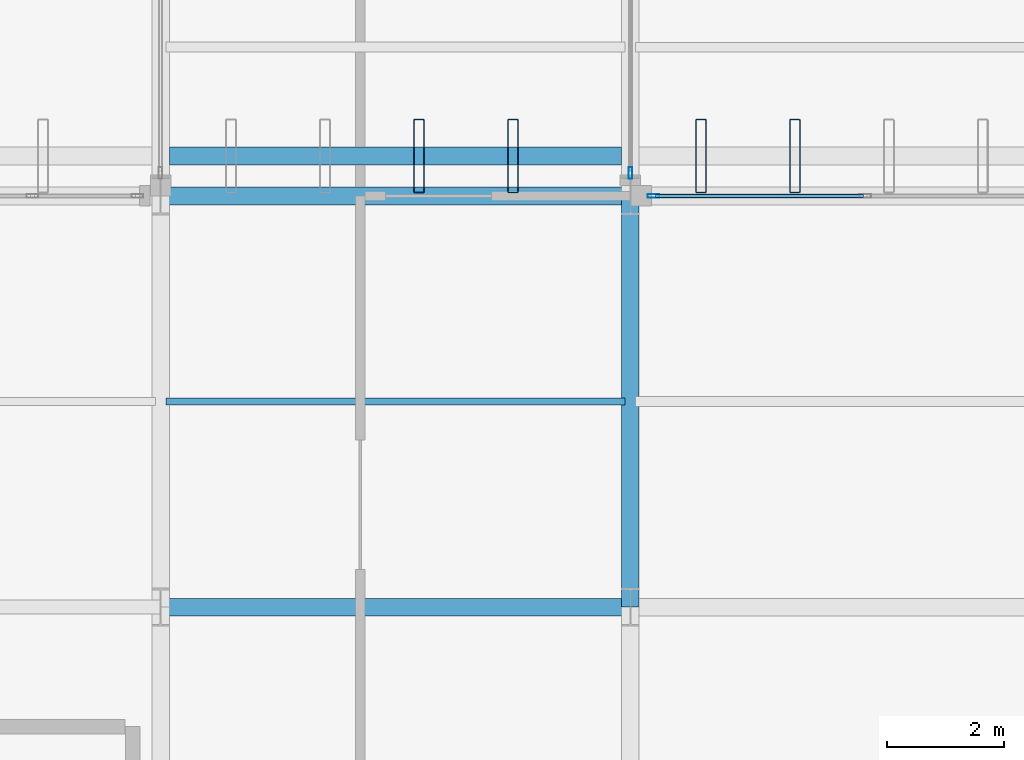
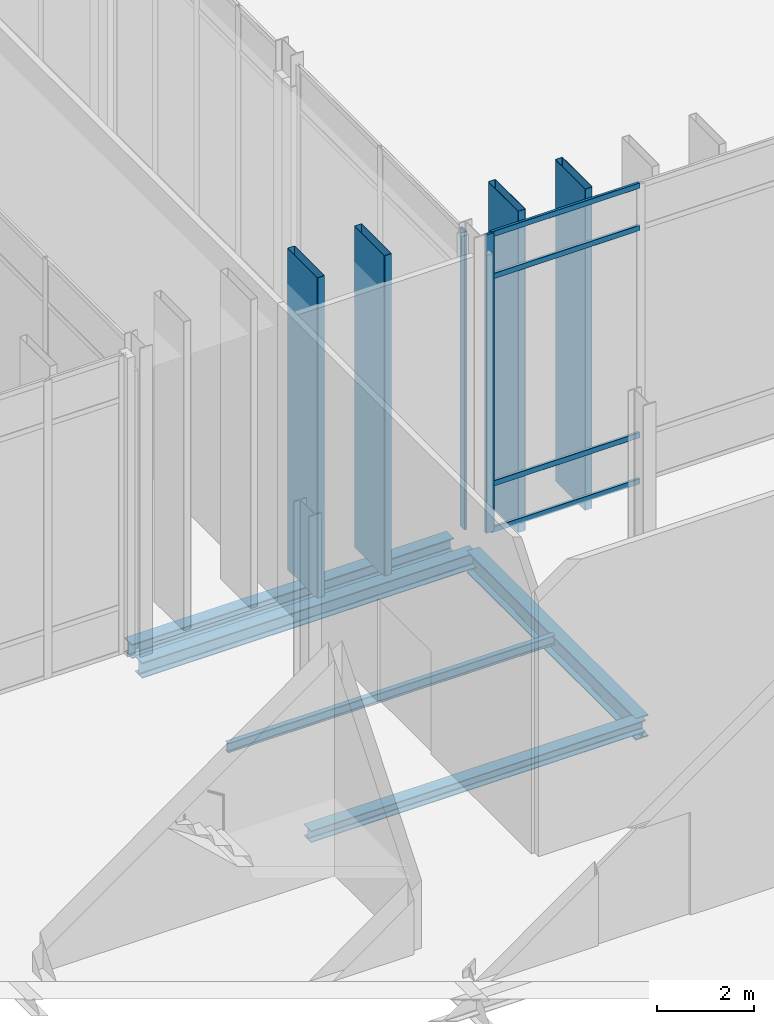
# One storey, part 64 of 176: 10 members, 5 beams, 2 elements without a shape of their own.
"""IFC4 building model written with IfcOpenShell, lengths in metres."""

from ifc_helpers import new_model, si_unit, direction, frame, origin, origin_2d, place, context, subcontext, project, spatial, hollow_rectangle, i_section, extrude, material, layer, layer_set, material_profile, profile_set, type_object, element, aggregate, save


model = new_model("IFC4")

# Units and contexts
model_context = context("Model", 3, precision=1e-05, world=origin(), true_north=direction((0.0, 1.0)))
body_context = subcontext(model_context, "Body", "Model", "MODEL_VIEW")
ifc_project = project(units=[si_unit("LENGTHUNIT", "METRE"), si_unit("AREAUNIT", "SQUARE_METRE"), si_unit("VOLUMEUNIT", "CUBIC_METRE"), si_unit("PLANEANGLEUNIT", "RADIAN"), si_unit("MASSUNIT", "GRAM", prefix="KILO")], contexts=[model_context])

# Site, building, storey
site_placement = place(None, origin())
site = spatial("IfcSite", under=ifc_project, at=site_placement, CompositionType="ELEMENT")
building_placement = place(site_placement, origin())
building = spatial("IfcBuilding", under=site, at=building_placement, Name="Vekula Escarpment Museum", CompositionType="ELEMENT")
storey_placement = place(building_placement, origin())
storey = spatial("IfcBuildingStorey", under=building, at=storey_placement, Name="L01", CompositionType="ELEMENT", Elevation=0.0)

# Beams
ifc_material_1 = material(Name="Steel S355", Category="steel")
ifc_material_profile_1 = material_profile(ifc_material_1, i_section(OverallWidth=0.300048828125, OverallDepth=0.300048828125, WebThickness=0.010986328125, FlangeThickness=0.01904296875, FilletRadius=0.027099609375, at=origin_2d()), Name="HEB 300")
ifc_profile_set_1 = profile_set([ifc_material_profile_1], Name="Steel S355")
beam_type_1 = type_object("IfcBeamType", Name="BM-GIRD-HEB300", PredefinedType="BEAM", material=ifc_profile_set_1)
beam_1_placement = place(storey_placement, frame((94.0, 83.39990234375, -0.449951171875), z_axis=(1.0, 0.0, 0.0), x_axis=(0.0, 1.0, 0.0)))
element("IfcBeam", 1, at=beam_1_placement, inside=storey, type_object=beam_type_1, Name="Beam X L01 0241", PredefinedType="BEAM", context=body_context, shape_type="SweptSolid", body=[
    extrude(i_section(OverallWidth=0.300048828125, OverallDepth=0.300048828125, WebThickness=0.010986328125, FlangeThickness=0.01904296875, FilletRadius=0.027099609375, at=origin_2d()), origin(), (0.0, 0.0, 1.0), 8.0),
])
ifc_material_2 = material(Name="Steel S355", Category="steel")
ifc_material_profile_2 = material_profile(ifc_material_2, i_section(OverallWidth=0.300048828125, OverallDepth=0.360107421875, WebThickness=0.012451171875, FlangeThickness=0.0224609375, FilletRadius=0.027099609375, at=origin_2d()), Name="HEB 360")
ifc_profile_set_2 = profile_set([ifc_material_profile_2], Name="Steel S355")
beam_type_2 = type_object("IfcBeamType", Name="BM-GIRD-HEB360", PredefinedType="BEAM", material=ifc_profile_set_2)
beam_2_placement = place(storey_placement, frame((94.14990234375, 91.080078125, -0.47998046875), z_axis=(1.0, 0.0, 0.0), x_axis=(0.0, 1.0, 0.0)))
element("IfcBeam", 2, at=beam_2_placement, inside=storey, type_object=beam_type_2, Name="Solar Fin Sill Girder 013", PredefinedType="BEAM", context=body_context, shape_type="SweptSolid", body=[
    extrude(i_section(OverallWidth=0.300048828125, OverallDepth=0.360107421875, WebThickness=0.012451171875, FlangeThickness=0.0224609375, FilletRadius=0.027099609375, at=origin_2d()), origin(), (0.0, 0.0, 1.0), 7.7001953125),
])
ifc_material_3 = material(Name="Steel S355", Category="steel")
ifc_material_profile_3 = material_profile(ifc_material_3, i_section(OverallWidth=0.300048828125, OverallDepth=0.550048828125, WebThickness=0.014892578125, FlangeThickness=0.029052734375, FilletRadius=0.027099609375, at=origin_2d()), Name="HEB 550")
ifc_profile_set_3 = profile_set([ifc_material_profile_3], Name="Steel S355")
beam_type_3 = type_object("IfcBeamType", Name="BM-GIRD-HEB550", PredefinedType="BEAM", material=ifc_profile_set_3)
beam_3_placement = place(storey_placement, frame((102.0, 83.39990234375, -0.574951171875), z_axis=(0.0, 1.0, 0.0), x_axis=(-1.0, 0.0, 0.0)))
element("IfcBeam", 3, at=beam_3_placement, inside=storey, type_object=beam_type_3, Name="Beam Y L01 0605", PredefinedType="BEAM", context=body_context, shape_type="SweptSolid", body=[
    extrude(i_section(OverallWidth=0.300048828125, OverallDepth=0.550048828125, WebThickness=0.014892578125, FlangeThickness=0.029052734375, FilletRadius=0.027099609375, at=origin_2d()), origin(), (0.0, 0.0, 1.0), 7.0),
])
ifc_material_4 = material(Name="Steel S355", Category="steel")
ifc_material_profile_4 = material_profile(ifc_material_4, i_section(OverallWidth=0.1201171875, OverallDepth=0.239990234375, WebThickness=0.006103515625, FlangeThickness=0.009765625, FilletRadius=0.014892578125, at=origin_2d()), Name="IPE 240")
ifc_profile_set_4 = profile_set([ifc_material_profile_4], Name="Steel S355")
beam_type_4 = type_object("IfcBeamType", Name="BM-JST-IPE240", PredefinedType="JOIST", material=ifc_profile_set_4)
beam_4_placement = place(storey_placement, frame((94.090087890625, 86.89990234375, -0.419921875), z_axis=(1.0, 0.0, 0.0), x_axis=(0.0, 1.0, 0.0)))
element("IfcBeam", 4, at=beam_4_placement, inside=storey, type_object=beam_type_4, Name="Secondary Joist L01 0307", PredefinedType="JOIST", context=body_context, shape_type="SweptSolid", body=[
    extrude(i_section(OverallWidth=0.1201171875, OverallDepth=0.239990234375, WebThickness=0.006103515625, FlangeThickness=0.009765625, FilletRadius=0.014892578125, at=origin_2d()), origin(), (0.0, 0.0, 1.0), 7.81982421875),
])
ifc_material_5 = material(Name="Steel S355", Category="steel")
ifc_material_profile_5 = material_profile(ifc_material_5, i_section(OverallWidth=0.300048828125, OverallDepth=0.389892578125, WebThickness=0.010986328125, FlangeThickness=0.01904296875, FilletRadius=0.027099609375, at=origin_2d()), Name="HEA 400")
ifc_profile_set_5 = profile_set([ifc_material_profile_5], Name="Steel S355")
beam_type_5 = type_object("IfcBeamType", Name="BM-SPAN-HEA400", PredefinedType="SPANDREL", material=ifc_profile_set_5)
beam_5_placement = place(storey_placement, frame((94.0, 90.39990234375, -0.4951171875), z_axis=(1.0, 0.0, 0.0), x_axis=(0.0, 1.0, 0.0)))
element("IfcBeam", 5, at=beam_5_placement, inside=storey, type_object=beam_type_5, Name="Beam X L01 0260", PredefinedType="SPANDREL", context=body_context, shape_type="SweptSolid", body=[
    extrude(i_section(OverallWidth=0.300048828125, OverallDepth=0.389892578125, WebThickness=0.010986328125, FlangeThickness=0.01904296875, FilletRadius=0.027099609375, at=origin_2d()), origin(), (0.0, 0.0, 1.0), 8.0),
])

# Curtain wall, member
ifc_material_6 = material(Name="Aluminium thermally broken framing", Category="aluminium")
ifc_layer_1 = layer(ifc_material_6, 0.179931640625)
ifc_layer_set_1 = layer_set([ifc_layer_1], Name="Aluminium thermally broken framing")
curtain_wall_type_1 = type_object("IfcCurtainWallType", Name="CW-SYS-07", PredefinedType="NOTDEFINED", material=ifc_layer_set_1)
curtain_wall_1_placement = place(storey_placement, origin())
curtain_wall_1 = element("IfcCurtainWall", 6, at=curtain_wall_1_placement, inside=storey, type_object=curtain_wall_type_1, Name="Curtain Wall CW-L01-027", PredefinedType="NOTDEFINED")
ifc_material_7 = material(Name="Aluminium anodized mullion", Category="aluminium")
ifc_material_profile_6 = material_profile(ifc_material_7, hollow_rectangle(XDim=0.06494140625, YDim=0.199951171875, WallThickness=0.00390625, InnerFilletRadius=0.00390625, OuterFilletRadius=0.008056640625, at=origin_2d()), Name="ALU 200x65x4")
ifc_profile_set_6 = profile_set([ifc_material_profile_6], Name="Aluminium anodized mullion")
member_type_1 = type_object("IfcMemberType", Name="CW-MUL-200", PredefinedType="MULLION", material=ifc_profile_set_6)
member_1_placement = place(storey_placement, frame((102.392578125, 90.39990234375, 0.0), z_axis=(0.0, 0.0, 1.0), x_axis=(0.0, -1.0, 0.0)))
member_1 = element("IfcMember", 7, at=member_1_placement, type_object=member_type_1, Name="CW-07 mullion 3", PredefinedType="MULLION", context=body_context, shape_type="SweptSolid", body=[
    extrude(hollow_rectangle(XDim=0.06494140625, YDim=0.199951171875, WallThickness=0.00390625, InnerFilletRadius=0.00390625, OuterFilletRadius=0.008056640625, at=origin_2d()), origin(), (0.0, 0.0, 1.0), 7.5400390625),
])

ifc_material_8 = material(Name="Aluminium thermally broken framing", Category="aluminium")
ifc_layer_2 = layer(ifc_material_8, 0.179931640625)
ifc_layer_set_2 = layer_set([ifc_layer_2], Name="Aluminium thermally broken framing")
curtain_wall_type_2 = type_object("IfcCurtainWallType", Name="CW-SYS-08", PredefinedType="NOTDEFINED", material=ifc_layer_set_2)
curtain_wall_2_placement = place(storey_placement, origin())
curtain_wall_2 = element("IfcCurtainWall", 8, at=curtain_wall_2_placement, inside=storey, type_object=curtain_wall_type_2, Name="Curtain Wall CW-L01-028", PredefinedType="NOTDEFINED")
member_2_placement = place(storey_placement, frame((102.0, 90.79248046875, 0.0), z_axis=(0.0, 0.0, 1.0), x_axis=(-1.0, 0.0, 0.0)))
member_2 = element("IfcMember", 9, at=member_2_placement, type_object=member_type_1, Name="CW-08 mullion 1", PredefinedType="MULLION", context=body_context, shape_type="SweptSolid", body=[
    extrude(hollow_rectangle(XDim=0.06494140625, YDim=0.199951171875, WallThickness=0.00390625, InnerFilletRadius=0.00390625, OuterFilletRadius=0.008056640625, at=origin_2d()), origin(), (0.0, 0.0, 1.0), 7.5400390625),
])
aggregate(curtain_wall_2, [member_2])

# Member
ifc_material_9 = material(Name="Aluminium anodized transom", Category="aluminium")
ifc_material_profile_7 = material_profile(ifc_material_9, hollow_rectangle(XDim=0.06494140625, YDim=0.139892578125, WallThickness=0.00390625, InnerFilletRadius=0.00390625, OuterFilletRadius=0.008056640625, at=origin_2d()), Name="ALU 140x65x4")
ifc_profile_set_7 = profile_set([ifc_material_profile_7], Name="Aluminium anodized transom")
member_type_2 = type_object("IfcMemberType", Name="CW-TRN-140", PredefinedType="USERDEFINED", material=ifc_profile_set_7)
member_3_placement = place(storey_placement, frame((105.967529296875, 90.39990234375, 0.032470703125), z_axis=(-1.0, 0.0, 0.0), x_axis=(0.0, -1.0, 0.0)))
member_3 = element("IfcMember", 10, at=member_3_placement, type_object=member_type_2, Name="CW-07 transom 2.1", ObjectType="TRANSOM", PredefinedType="USERDEFINED", context=body_context, shape_type="SweptSolid", body=[
    extrude(hollow_rectangle(XDim=0.06494140625, YDim=0.139892578125, WallThickness=0.00390625, InnerFilletRadius=0.00390625, OuterFilletRadius=0.008056640625, at=origin_2d()), origin(), (0.0, 0.0, 1.0), 3.54248046875),
])

member_4_placement = place(storey_placement, frame((105.967529296875, 90.39990234375, 1.199951171875), z_axis=(-1.0, 0.0, 0.0), x_axis=(0.0, -1.0, 0.0)))
member_4 = element("IfcMember", 11, at=member_4_placement, type_object=member_type_2, Name="CW-07 transom 2.2", ObjectType="TRANSOM", PredefinedType="USERDEFINED", context=body_context, shape_type="SweptSolid", body=[
    extrude(hollow_rectangle(XDim=0.06494140625, YDim=0.139892578125, WallThickness=0.00390625, InnerFilletRadius=0.00390625, OuterFilletRadius=0.008056640625, at=origin_2d()), origin(), (0.0, 0.0, 1.0), 3.54248046875),
])

member_5_placement = place(storey_placement, frame((105.967529296875, 90.39990234375, 6.43994140625), z_axis=(-1.0, 0.0, 0.0), x_axis=(0.0, -1.0, 0.0)))
member_5 = element("IfcMember", 12, at=member_5_placement, type_object=member_type_2, Name="CW-07 transom 2.3", ObjectType="TRANSOM", PredefinedType="USERDEFINED", context=body_context, shape_type="SweptSolid", body=[
    extrude(hollow_rectangle(XDim=0.06494140625, YDim=0.139892578125, WallThickness=0.00390625, InnerFilletRadius=0.00390625, OuterFilletRadius=0.008056640625, at=origin_2d()), origin(), (0.0, 0.0, 1.0), 3.54248046875),
])

member_6_placement = place(storey_placement, frame((105.967529296875, 90.39990234375, 7.507568359375), z_axis=(-1.0, 0.0, 0.0), x_axis=(0.0, -1.0, 0.0)))
member_6 = element("IfcMember", 13, at=member_6_placement, type_object=member_type_2, Name="CW-07 transom 2.4", ObjectType="TRANSOM", PredefinedType="USERDEFINED", context=body_context, shape_type="SweptSolid", body=[
    extrude(hollow_rectangle(XDim=0.06494140625, YDim=0.139892578125, WallThickness=0.00390625, InnerFilletRadius=0.00390625, OuterFilletRadius=0.008056640625, at=origin_2d()), origin(), (0.0, 0.0, 1.0), 3.54248046875),
])

aggregate(curtain_wall_1, [member_1, member_3, member_4, member_5, member_6])

# Members
ifc_material_10 = material(Name="Steel S355 weathered bronze solar fin", Category="steel")
ifc_material_profile_8 = material_profile(ifc_material_10, hollow_rectangle(XDim=0.179931640625, YDim=1.25, WallThickness=0.010009765625, InnerFilletRadius=0.010009765625, OuterFilletRadius=0.02001953125, at=origin_2d()), Name="RHS 1250x180x10")
ifc_profile_set_8 = profile_set([ifc_material_profile_8], Name="Steel S355 weathered bronze solar fin")
member_type_3 = type_object("IfcMemberType", Name="MB-SOLAR-FIN", PredefinedType="USERDEFINED", material=ifc_profile_set_8)
for number, where, z_axis, x_axis, name in (
    (14, (98.39990234375, 91.080078125, -0.320068359375), (0.0, 0.0, 1.0), (1.0, 0.0, 0.0), "Great Hall Vertical Solar Fin 0206"),
    (15, (100.0, 91.080078125, -0.320068359375), (0.0, 0.0, 1.0), (1.0, 0.0, 0.0), "Great Hall Vertical Solar Fin 0211"),
    (16, (103.199951171875, 91.080078125, -0.320068359375), (0.0, 0.0, 1.0), (1.0, 0.0, 0.0), "Great Hall Vertical Solar Fin 0216"),
    (17, (104.800048828125, 91.080078125, -0.320068359375), (0.0, 0.0, 1.0), (1.0, 0.0, 0.0), "Great Hall Vertical Solar Fin 0221"),
):
    element("IfcMember", number, at=place(storey_placement, frame(where, z_axis=z_axis, x_axis=x_axis)), inside=storey, type_object=member_type_3, Name=name, ObjectType="SOLAR FIN", PredefinedType="USERDEFINED", context=body_context, shape_type="SweptSolid", body=[
        extrude(hollow_rectangle(XDim=0.179931640625, YDim=1.25, WallThickness=0.010009765625, InnerFilletRadius=0.010009765625, OuterFilletRadius=0.02001953125, at=origin_2d()), origin(), (0.0, 0.0, 1.0), 8.1201171875),
    ])

save(model, "model.ifc")
